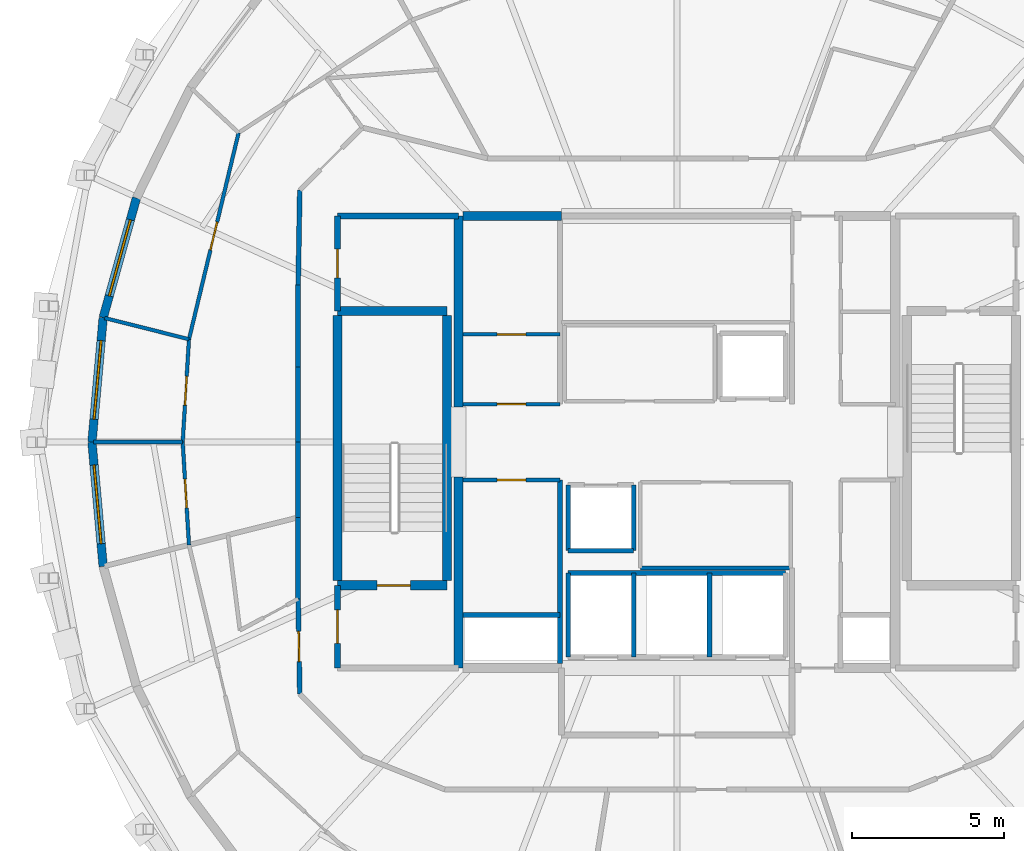
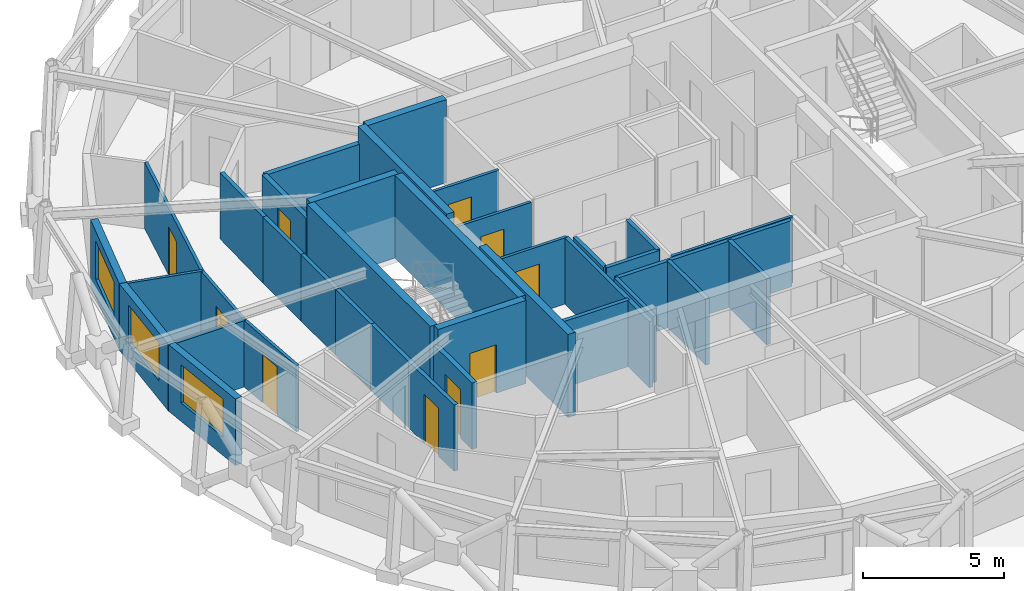
# One storey, part 8 of 12: 37 walls, 10 doors, 3 windows, 13 openings.
"""IFC4 building model written with IfcOpenShell, lengths in metres."""

from ifc_helpers import new_model, si_unit, direction, frame, frame_2d, origin, place, context, subcontext, project, spatial, rectangle, extrude, material, layer, layer_set, type_object, element, fill, save


model = new_model("IFC4")

# Units and contexts
model_context = context("Model", 3, precision=1e-05, world=origin(), true_north=direction((0.0, 1.0)))
body_context = subcontext(model_context, "Body", "Model", "MODEL_VIEW")
ifc_project = project(units=[si_unit("LENGTHUNIT", "METRE"), si_unit("AREAUNIT", "SQUARE_METRE"), si_unit("VOLUMEUNIT", "CUBIC_METRE"), si_unit("PLANEANGLEUNIT", "RADIAN"), si_unit("MASSUNIT", "GRAM", prefix="KILO")], contexts=[model_context])

# Site, building, storey
site_placement = place(None, origin())
site = spatial("IfcSite", under=ifc_project, at=site_placement, CompositionType="ELEMENT")
building_placement = place(site_placement, origin())
building = spatial("IfcBuilding", under=site, at=building_placement, Name="Veldorina Hangang Commons", CompositionType="ELEMENT")
storey_placement = place(building_placement, frame((0.0, 0.0, 272.39990234375)))
storey = spatial("IfcBuildingStorey", under=building, at=storey_placement, Name="L71", CompositionType="ELEMENT", Elevation=272.39990234375)

# Walls
ifc_material_1 = material(Name="Concrete C50/60", Category="concrete")
ifc_layer_1 = layer(ifc_material_1, 0.300048828125)
ifc_layer_set_1 = layer_set([ifc_layer_1], Name="Concrete C50/60")
wall_type_1 = type_object("IfcWallType", Name="CW-RC300-C50", PredefinedType="SHEAR", material=ifc_layer_set_1)
for number, where, z_axis, x_axis, name in (
    (1, (24.800048828125, 16.550048828125, 0.0), (0.0, 0.0, 1.0), (0.0, 1.0, 0.0), "L71 W south core shear wall"),
    (2, (24.800048828125, 25.14990234375, 0.0), (0.0, 0.0, 1.0), (0.0, 1.0, 0.0), "L71 W north core shear wall"),
):
    element("IfcWall", number, at=place(storey_placement, frame(where, z_axis=z_axis, x_axis=x_axis)), inside=storey, type_object=wall_type_1, Name=name, PredefinedType="SHEAR", context=body_context, shape_type="SweptSolid", body=[
        extrude(rectangle(XDim=6.300048828125, YDim=0.300048828125, at=frame_2d((3.14990234375, 0.0))), origin(), (0.0, 0.0, 1.0), 3.60009765625),
    ])
wall_1_placement = place(storey_placement, frame((24.949951171875, 31.449951171875, 0.0), z_axis=(0.0, 0.0, 1.0), x_axis=(1.0, 0.0, 0.0)))
element("IfcWall", 3, at=wall_1_placement, inside=storey, type_object=wall_type_1, Name="L71 north-west core shear wall", PredefinedType="SHEAR", context=body_context, shape_type="SweptSolid", body=[
    extrude(rectangle(XDim=3.25, YDim=0.300048828125, at=frame_2d((1.625, 0.0))), origin(), (0.0, 0.0, 1.0), 3.60009765625),
])

# Wall, opening, window
ifc_material_2 = material(Name="Stone Roman Travertine", Category="masonry")
ifc_layer_2 = layer(ifc_material_2, 0.280029296875)
ifc_layer_set_2 = layer_set([ifc_layer_2], Name="Stone Roman Travertine")
wall_type_2 = type_object("IfcWallType", Name="EW-TRAV-280", PredefinedType="STANDARD", material=ifc_layer_set_2)
wall_2_placement = place(storey_placement, frame((14.19091796875, 32.0458984375, 0.0), z_axis=(0.0, 0.0, 1.0), x_axis=(-0.26794835719, -0.963433276298, 0.0)))
wall_2 = element("IfcWall", 4, at=wall_2_placement, inside=storey, type_object=wall_type_2, Name="L71 travertine facade wall 14", PredefinedType="STANDARD", context=body_context, shape_type="SweptSolid", body=[
    extrude(rectangle(XDim=4.09375, YDim=0.280029296875, at=frame_2d((2.046875, 0.0))), origin(), (0.0, 0.0, 1.0), 2.880126953125),
])
opening_1_placement = place(wall_2_placement, frame((0.746826171875, 0.0, 0.800048828125)))
opening_1 = element("IfcOpeningElement", 5, at=opening_1_placement, cuts=wall_2, Name="Opening W-02", PredefinedType="OPENING", context=body_context, shape_type="SweptSolid", body=[
    extrude(rectangle(XDim=2.60009765625, YDim=1.64990234375, at=frame_2d((1.300048828125, 0.824951171875))), frame((0.0, 0.14990234375, 0.0), z_axis=(0.0, -1.0, 0.0), x_axis=(1.0, 0.0, 0.0)), (0.0, 0.0, 1.0), 0.300048828125),
])
ifc_material_3 = material(Name="Glass Low-E Triple IGU", Category="glass")
window_type = type_object("IfcWindowType", Name="WIN-TWR-2600", PartitioningType="SINGLE_PANEL", PredefinedType="WINDOW", material=ifc_material_3)
window_1_placement = place(opening_1_placement, origin())
window_1 = element("IfcWindow", 6, at=window_1_placement, inside=storey, type_object=window_type, Name="L71 facade window 14", OverallHeight=1.64990234375, OverallWidth=2.60009765625, PartitioningType="SINGLE_PANEL", PredefinedType="WINDOW", context=body_context, shape_type="SweptSolid", body=[
    extrude(rectangle(XDim=2.60009765625, YDim=1.64990234375, at=frame_2d((1.300048828125, 0.824951171875))), frame((0.0, 0.030029296875, 0.0), z_axis=(0.0, -1.0, 0.0), x_axis=(1.0, 0.0, 0.0)), (0.0, 0.0, 1.0), 0.06005859375),
])
fill(opening_1, window_1)

wall_3_placement = place(storey_placement, frame((13.093994140625, 28.101806640625, 0.0), z_axis=(0.0, 0.0, 1.0), x_axis=(-0.089926417538, -0.995948412032, 0.0)))
wall_3 = element("IfcWall", 7, at=wall_3_placement, inside=storey, type_object=wall_type_2, Name="L71 travertine facade wall 15", PredefinedType="STANDARD", context=body_context, shape_type="SweptSolid", body=[
    extrude(rectangle(XDim=4.118408203125, YDim=0.280029296875, at=frame_2d((2.05908203125, 0.0))), origin(), (0.0, 0.0, 1.0), 2.880126953125),
])
opening_2_placement = place(wall_3_placement, frame((0.75927734375, 0.0, 0.800048828125)))
opening_2 = element("IfcOpeningElement", 8, at=opening_2_placement, cuts=wall_3, Name="Opening W-02", PredefinedType="OPENING", context=body_context, shape_type="SweptSolid", body=[
    extrude(rectangle(XDim=2.60009765625, YDim=1.64990234375, at=frame_2d((1.300048828125, 0.824951171875))), frame((0.0, 0.14990234375, 0.0), z_axis=(0.0, -1.0, 0.0), x_axis=(1.0, 0.0, 0.0)), (0.0, 0.0, 1.0), 0.300048828125),
])
window_2_placement = place(opening_2_placement, origin())
window_2 = element("IfcWindow", 9, at=window_2_placement, inside=storey, type_object=window_type, Name="L71 facade window 15", OverallHeight=1.64990234375, OverallWidth=2.60009765625, PartitioningType="SINGLE_PANEL", PredefinedType="WINDOW", context=body_context, shape_type="SweptSolid", body=[
    extrude(rectangle(XDim=2.60009765625, YDim=1.64990234375, at=frame_2d((1.300048828125, 0.824951171875))), frame((0.0, 0.030029296875, 0.0), z_axis=(0.0, -1.0, 0.0), x_axis=(1.0, 0.0, 0.0)), (0.0, 0.0, 1.0), 0.06005859375),
])
fill(opening_2, window_2)

wall_4_placement = place(storey_placement, frame((12.7236328125, 24.0, 0.0), z_axis=(0.0, 0.0, 1.0), x_axis=(0.089926417538, -0.995948412032, 0.0)))
wall_4 = element("IfcWall", 10, at=wall_4_placement, inside=storey, type_object=wall_type_2, Name="L71 travertine facade wall 16", PredefinedType="STANDARD", context=body_context, shape_type="SweptSolid", body=[
    extrude(rectangle(XDim=4.118408203125, YDim=0.280029296875, at=frame_2d((2.05908203125, 0.0))), origin(), (0.0, 0.0, 1.0), 2.880126953125),
])
opening_3_placement = place(wall_4_placement, frame((0.75927734375, 0.0, 0.800048828125)))
opening_3 = element("IfcOpeningElement", 11, at=opening_3_placement, cuts=wall_4, Name="Opening W-02", PredefinedType="OPENING", context=body_context, shape_type="SweptSolid", body=[
    extrude(rectangle(XDim=2.60009765625, YDim=1.64990234375, at=frame_2d((1.300048828125, 0.824951171875))), frame((0.0, 0.14990234375, 0.0), z_axis=(0.0, -1.0, 0.0), x_axis=(1.0, 0.0, 0.0)), (0.0, 0.0, 1.0), 0.300048828125),
])
window_3_placement = place(opening_3_placement, origin())
window_3 = element("IfcWindow", 12, at=window_3_placement, inside=storey, type_object=window_type, Name="L71 facade window 16", OverallHeight=1.64990234375, OverallWidth=2.60009765625, PartitioningType="SINGLE_PANEL", PredefinedType="WINDOW", context=body_context, shape_type="SweptSolid", body=[
    extrude(rectangle(XDim=2.60009765625, YDim=1.64990234375, at=frame_2d((1.300048828125, 0.824951171875))), frame((0.0, 0.030029296875, 0.0), z_axis=(0.0, -1.0, 0.0), x_axis=(1.0, 0.0, 0.0)), (0.0, 0.0, 1.0), 0.06005859375),
])
fill(opening_3, window_3)

# Walls
ifc_layer_3 = layer(ifc_material_1, 0.300048828125)
ifc_layer_set_3 = layer_set([ifc_layer_3], Name="Concrete C50/60")
wall_type_3 = type_object("IfcWallType", Name="SW-STAIR-300", PredefinedType="SHEAR", material=ifc_layer_set_3)
for number, where, z_axis, x_axis, name in (
    (13, (20.820068359375, 19.429931640625, 0.0), (0.0, 0.0, 1.0), (0.0, 1.0, 0.0), "L71 ST1 outer stair shear wall"),
    (14, (24.419921875, 19.429931640625, 0.0), (0.0, 0.0, 1.0), (0.0, 1.0, 0.0), "L71 ST1 inner stair shear wall"),
):
    element("IfcWall", number, at=place(storey_placement, frame(where, z_axis=z_axis, x_axis=x_axis)), inside=storey, type_object=wall_type_3, Name=name, PredefinedType="SHEAR", context=body_context, shape_type="SweptSolid", body=[
        extrude(rectangle(XDim=8.739990234375, YDim=0.300048828125, at=frame_2d((4.3701171875, 0.0))), origin(), (0.0, 0.0, 1.0), 3.60009765625),
    ])

# Wall, opening, door
wall_5_placement = place(storey_placement, frame((20.820068359375, 19.280029296875, 0.0), z_axis=(0.0, 0.0, 1.0), x_axis=(1.0, 0.0, 0.0)))
wall_5 = element("IfcWall", 15, at=wall_5_placement, inside=storey, type_object=wall_type_3, Name="L71 ST1 south stair shear wall", PredefinedType="SHEAR", context=body_context, shape_type="SweptSolid", body=[
    extrude(rectangle(XDim=3.599853515625, YDim=0.300048828125, at=frame_2d((1.7998046875, 0.0))), origin(), (0.0, 0.0, 1.0), 3.60009765625),
])
opening_4_placement = place(wall_5_placement, frame((1.300048828125, 0.0, 0.0)))
opening_4 = element("IfcOpeningElement", 16, at=opening_4_placement, cuts=wall_5, Name="Opening D-08", PredefinedType="OPENING", context=body_context, shape_type="SweptSolid", body=[
    extrude(rectangle(XDim=1.10009765625, YDim=2.10009765625, at=frame_2d((0.550048828125, 1.050048828125))), frame((0.0, 0.16015625, 0.0), z_axis=(0.0, -1.0, 0.0), x_axis=(1.0, 0.0, 0.0)), (0.0, 0.0, 1.0), 0.320068359375),
])
ifc_material_4 = material(Name="Steel Fire-Rated Smoke Seal", Category="steel")
door_type_1 = type_object("IfcDoorType", Name="DR-FIRE-1100", OperationType="SINGLE_SWING_RIGHT", PredefinedType="DOOR", material=ifc_material_4)
door_1_placement = place(opening_4_placement, origin())
door_1 = element("IfcDoor", 17, at=door_1_placement, inside=storey, type_object=door_type_1, Name="L71 Special Escape Stair ST-1 door", OperationType="SINGLE_SWING_LEFT", OverallHeight=2.10009765625, OverallWidth=1.10009765625, PredefinedType="DOOR", context=body_context, shape_type="SweptSolid", body=[
    extrude(rectangle(XDim=1.10009765625, YDim=2.10009765625, at=frame_2d((0.550048828125, 1.050048828125))), frame((0.0, 0.02490234375, 0.0), z_axis=(0.0, -1.0, 0.0), x_axis=(1.0, 0.0, 0.0)), (0.0, 0.0, 1.0), 0.050048828125),
])
fill(opening_4, door_1)

# Walls
wall_6_placement = place(storey_placement, frame((20.820068359375, 28.320068359375, 0.0), z_axis=(0.0, 0.0, 1.0), x_axis=(1.0, 0.0, 0.0)))
element("IfcWall", 18, at=wall_6_placement, inside=storey, type_object=wall_type_3, Name="L71 ST1 north stair shear wall", PredefinedType="SHEAR", context=body_context, shape_type="SweptSolid", body=[
    extrude(rectangle(XDim=3.599853515625, YDim=0.300048828125, at=frame_2d((1.7998046875, 0.0))), origin(), (0.0, 0.0, 1.0), 3.60009765625),
])
ifc_material_5 = material(Name="Gypsum Fire-Rated Twin Stud Wall", Category="gypsum")
ifc_layer_4 = layer(ifc_material_5, 0.159912109375)
ifc_layer_set_4 = layer_set([ifc_layer_4], Name="Gypsum Fire-Rated Twin Stud Wall")
wall_type_4 = type_object("IfcWallType", Name="WL-FIRE-160", PredefinedType="SOLIDWALL", material=ifc_layer_set_4)
for number, where, z_axis, x_axis, name in (
    (19, (28.419921875, 20.419921875, 0.0), (0.0, 0.0, 1.0), (1.0, 0.0, 0.0), "L71 Shuttle-high rear shaft wall 020"),
    (20, (28.419921875, 20.419921875, 0.0), (0.0, 0.0, 1.0), (0.0, 1.0, 0.0), "L71 PL-H2 west shaft wall 021"),
    (21, (30.580078125, 20.419921875, 0.0), (0.0, 0.0, 1.0), (0.0, 1.0, 0.0), "L71 PL-H2 east shaft wall 022"),
):
    element("IfcWall", number, at=place(storey_placement, frame(where, z_axis=z_axis, x_axis=x_axis)), inside=storey, type_object=wall_type_4, Name=name, PredefinedType="SOLIDWALL", context=body_context, shape_type="SweptSolid", body=[
        extrude(rectangle(XDim=2.16015625, YDim=0.159912109375, at=frame_2d((1.080078125, 0.0))), origin(), (0.0, 0.0, 1.0), 2.8701171875),
    ])
wall_7_placement = place(storey_placement, frame((28.419921875, 19.679931640625, 0.0), z_axis=(0.0, 0.0, 1.0), x_axis=(1.0, 0.0, 0.0)))
element("IfcWall", 22, at=wall_7_placement, inside=storey, type_object=wall_type_4, Name="L71 Emergency rear shaft wall 024", PredefinedType="SOLIDWALL", context=body_context, shape_type="SweptSolid", body=[
    extrude(rectangle(XDim=7.16015625, YDim=0.159912109375, at=frame_2d((3.580078125, 0.0))), origin(), (0.0, 0.0, 1.0), 2.8701171875),
])
for number, where, z_axis, x_axis, name in (
    (23, (28.419921875, 16.919921875, 0.0), (0.0, 0.0, 1.0), (0.0, 1.0, 0.0), "L71 FFL-1 west shaft wall 025"),
    (24, (30.580078125, 16.919921875, 0.0), (0.0, 0.0, 1.0), (0.0, 1.0, 0.0), "L71 FFL-1 east shaft wall 026"),
    (25, (33.080078125, 16.919921875, 0.0), (0.0, 0.0, 1.0), (0.0, 1.0, 0.0), "L71 FFL-2 east shaft wall 027"),
):
    element("IfcWall", number, at=place(storey_placement, frame(where, z_axis=z_axis, x_axis=x_axis)), inside=storey, type_object=wall_type_4, Name=name, PredefinedType="SOLIDWALL", context=body_context, shape_type="SweptSolid", body=[
        extrude(rectangle(XDim=2.760009765625, YDim=0.159912109375, at=frame_2d((1.3798828125, 0.0))), origin(), (0.0, 0.0, 1.0), 2.8701171875),
    ])
wall_8_placement = place(storey_placement, frame((24.949951171875, 18.300048828125, 0.0), z_axis=(0.0, 0.0, 1.0), x_axis=(1.0, 0.0, 0.0)))
element("IfcWall", 26, at=wall_8_placement, inside=storey, type_object=wall_type_4, Name="L71 Electrical riser wall 040", PredefinedType="SOLIDWALL", context=body_context, shape_type="SweptSolid", body=[
    extrude(rectangle(XDim=3.199951171875, YDim=0.159912109375, at=frame_2d((1.60009765625, 0.0))), origin(), (0.0, 0.0, 1.0), 2.8701171875),
])
wall_9_placement = place(storey_placement, frame((28.14990234375, 16.699951171875, 0.0), z_axis=(0.0, 0.0, 1.0), x_axis=(0.0, 1.0, 0.0)))
element("IfcWall", 27, at=wall_9_placement, inside=storey, type_object=wall_type_4, Name="L71 SW core inner wall 041", PredefinedType="SOLIDWALL", context=body_context, shape_type="SweptSolid", body=[
    extrude(rectangle(XDim=6.050048828125, YDim=0.159912109375, at=frame_2d((3.02490234375, 0.0))), origin(), (0.0, 0.0, 1.0), 2.8701171875),
])
wall_10_placement = place(storey_placement, frame((19.5732421875, 32.30322265625, 0.0), z_axis=(0.0, 0.0, 1.0), x_axis=(-0.016981035134, -0.999855811828, 0.0)))
element("IfcWall", 28, at=wall_10_placement, inside=storey, type_object=wall_type_4, Name="L71 Compact collar outer wall 13 065", PredefinedType="SOLIDWALL", context=body_context, shape_type="SweptSolid", body=[
    extrude(rectangle(XDim=3.13427734375, YDim=0.159912109375, at=frame_2d((1.567138671875, 0.0))), origin(), (0.0, 0.0, 1.0), 2.8701171875),
])
wall_11_placement = place(storey_placement, frame((19.52001953125, 29.16943359375, 0.0), z_axis=(0.0, 0.0, 1.0), x_axis=(0.0, -1.0, 0.0)))
element("IfcWall", 29, at=wall_11_placement, inside=storey, type_object=wall_type_4, Name="L71 Compact collar outer wall 14 066", PredefinedType="SOLIDWALL", context=body_context, shape_type="SweptSolid", body=[
    extrude(rectangle(XDim=2.68701171875, YDim=0.159912109375, at=frame_2d((1.343505859375, 0.0))), origin(), (0.0, 0.0, 1.0), 2.8701171875),
])
for number, where, z_axis, x_axis, name in (
    (30, (19.52001953125, 26.482421875, 0.0), (0.0, 0.0, 1.0), (0.0, -1.0, 0.0), "L71 Compact collar outer wall 15 067"),
    (31, (19.52001953125, 24.0, 0.0), (0.0, 0.0, 1.0), (0.0, -1.0, 0.0), "L71 Compact collar outer wall 16 068"),
):
    element("IfcWall", number, at=place(storey_placement, frame(where, z_axis=z_axis, x_axis=x_axis)), inside=storey, type_object=wall_type_4, Name=name, PredefinedType="SOLIDWALL", context=body_context, shape_type="SweptSolid", body=[
        extrude(rectangle(XDim=2.482421875, YDim=0.159912109375, at=frame_2d((1.2412109375, 0.0))), origin(), (0.0, 0.0, 1.0), 2.8701171875),
    ])
wall_12_placement = place(storey_placement, frame((19.52001953125, 21.517578125, 0.0), z_axis=(0.0, 0.0, 1.0), x_axis=(0.0, -1.0, 0.0)))
element("IfcWall", 32, at=wall_12_placement, inside=storey, type_object=wall_type_4, Name="L71 Compact collar outer wall 17 069", PredefinedType="SOLIDWALL", context=body_context, shape_type="SweptSolid", body=[
    extrude(rectangle(XDim=2.68701171875, YDim=0.159912109375, at=frame_2d((1.343505859375, 0.0))), origin(), (0.0, 0.0, 1.0), 2.8701171875),
])

# Wall, opening, door
wall_13_placement = place(storey_placement, frame((19.52001953125, 18.83056640625, 0.0), z_axis=(0.0, 0.0, 1.0), x_axis=(0.016981035134, -0.999855811828, 0.0)))
wall_13 = element("IfcWall", 33, at=wall_13_placement, inside=storey, type_object=wall_type_4, Name="L71 Compact collar outer wall 18 070", PredefinedType="SOLIDWALL", context=body_context, shape_type="SweptSolid", body=[
    extrude(rectangle(XDim=3.13427734375, YDim=0.159912109375, at=frame_2d((1.567138671875, 0.0))), origin(), (0.0, 0.0, 1.0), 2.8701171875),
])
opening_5_placement = place(wall_13_placement, frame((1.067138671875, 0.0, 0.0)))
opening_5 = element("IfcOpeningElement", 34, at=opening_5_placement, cuts=wall_13, Name="Opening D-06", PredefinedType="OPENING", context=body_context, shape_type="SweptSolid", body=[
    extrude(rectangle(XDim=1.0, YDim=2.10009765625, at=frame_2d((0.5, 1.050048828125))), frame((0.0, 0.08984375, 0.0), z_axis=(0.0, -1.0, 0.0), x_axis=(1.0, 0.0, 0.0)), (0.0, 0.0, 1.0), 0.179931640625),
])
ifc_material_6 = material(Name="Timber Fire-Rated Entrance Core", Category="wood")
door_type_2 = type_object("IfcDoorType", Name="DR-UNIT-1000", OperationType="SINGLE_SWING_LEFT", PredefinedType="DOOR", material=ifc_material_6)
door_2_placement = place(opening_5_placement, origin())
door_2 = element("IfcDoor", 35, at=door_2_placement, inside=storey, type_object=door_type_2, Name="L71 Cluster 6 entrance door 038", OperationType="SINGLE_SWING_RIGHT", OverallHeight=2.10009765625, OverallWidth=1.0, PredefinedType="DOOR", context=body_context, shape_type="SweptSolid", body=[
    extrude(rectangle(XDim=1.0, YDim=2.10009765625, at=frame_2d((0.5, 1.050048828125))), frame((0.0, 0.02490234375, 0.0), z_axis=(0.0, -1.0, 0.0), x_axis=(1.0, 0.0, 0.0)), (0.0, 0.0, 1.0), 0.050048828125),
])
fill(opening_5, door_2)

ifc_material_7 = material(Name="Concrete Blockwork Fire Wall C30/37", Category="masonry")
ifc_layer_5 = layer(ifc_material_7, 0.199951171875)
ifc_layer_set_5 = layer_set([ifc_layer_5], Name="Concrete Blockwork Fire Wall C30/37")
wall_type_5 = type_object("IfcWallType", Name="WL-FIRE-200", PredefinedType="SOLIDWALL", material=ifc_layer_set_5)
wall_14_placement = place(storey_placement, frame((20.820068359375, 16.550048828125, 0.0), z_axis=(0.0, 0.0, 1.0), x_axis=(0.0, 1.0, 0.0)))
wall_14 = element("IfcWall", 36, at=wall_14_placement, inside=storey, type_object=wall_type_5, Name="L71 West vestibule outer wall 001", PredefinedType="SOLIDWALL", context=body_context, shape_type="SweptSolid", body=[
    extrude(rectangle(XDim=2.72998046875, YDim=0.199951171875, at=frame_2d((1.364990234375, 0.0))), origin(), (0.0, 0.0, 1.0), 2.8701171875),
])
opening_6_placement = place(wall_14_placement, frame((0.81494140625, 0.0, 0.0)))
opening_6 = element("IfcOpeningElement", 37, at=opening_6_placement, cuts=wall_14, Name="Opening D-08", PredefinedType="OPENING", context=body_context, shape_type="SweptSolid", body=[
    extrude(rectangle(XDim=1.10009765625, YDim=2.10009765625, at=frame_2d((0.550048828125, 1.050048828125))), frame((0.0, 0.10986328125, 0.0), z_axis=(0.0, -1.0, 0.0), x_axis=(1.0, 0.0, 0.0)), (0.0, 0.0, 1.0), 0.219970703125),
])
door_3_placement = place(opening_6_placement, origin())
door_3 = element("IfcDoor", 38, at=door_3_placement, inside=storey, type_object=door_type_1, Name="L71 West vestibule west door 001", OperationType="SINGLE_SWING_LEFT", OverallHeight=2.10009765625, OverallWidth=1.10009765625, PredefinedType="DOOR", context=body_context, shape_type="SweptSolid", body=[
    extrude(rectangle(XDim=1.10009765625, YDim=2.10009765625, at=frame_2d((0.550048828125, 1.050048828125))), frame((0.0, 0.02490234375, 0.0), z_axis=(0.0, -1.0, 0.0), x_axis=(1.0, 0.0, 0.0)), (0.0, 0.0, 1.0), 0.050048828125),
])
fill(opening_6, door_3)

wall_15_placement = place(storey_placement, frame((20.820068359375, 28.320068359375, 0.0), z_axis=(0.0, 0.0, 1.0), x_axis=(0.0, 1.0, 0.0)))
wall_15 = element("IfcWall", 39, at=wall_15_placement, inside=storey, type_object=wall_type_5, Name="L71 NW core room outer wall 005", PredefinedType="SOLIDWALL", context=body_context, shape_type="SweptSolid", body=[
    extrude(rectangle(XDim=3.1298828125, YDim=0.199951171875, at=frame_2d((1.56494140625, 0.0))), origin(), (0.0, 0.0, 1.0), 2.8701171875),
])
opening_7_placement = place(wall_15_placement, frame((1.090087890625, 0.0, 0.0)))
opening_7 = element("IfcOpeningElement", 40, at=opening_7_placement, cuts=wall_15, Name="Opening D-04", PredefinedType="OPENING", context=body_context, shape_type="SweptSolid", body=[
    extrude(rectangle(XDim=0.949951171875, YDim=2.10009765625, at=frame_2d((0.47509765625, 1.050048828125))), frame((0.0, 0.10986328125, 0.0), z_axis=(0.0, -1.0, 0.0), x_axis=(1.0, 0.0, 0.0)), (0.0, 0.0, 1.0), 0.219970703125),
])
ifc_material_8 = material(Name="Timber Accessible Flush Leaf", Category="wood")
door_type_3 = type_object("IfcDoorType", Name="DR-ACC-950", OperationType="SINGLE_SWING_LEFT", PredefinedType="DOOR", material=ifc_material_8)
door_4_placement = place(opening_7_placement, origin())
door_4 = element("IfcDoor", 41, at=door_4_placement, inside=storey, type_object=door_type_3, Name="L71 NW core WC door 003", OperationType="SINGLE_SWING_LEFT", OverallHeight=2.10009765625, OverallWidth=0.949951171875, PredefinedType="DOOR", context=body_context, shape_type="SweptSolid", body=[
    extrude(rectangle(XDim=0.949951171875, YDim=2.10009765625, at=frame_2d((0.47509765625, 1.050048828125))), frame((0.0, 0.02490234375, 0.0), z_axis=(0.0, -1.0, 0.0), x_axis=(1.0, 0.0, 0.0)), (0.0, 0.0, 1.0), 0.050048828125),
])
fill(opening_7, door_4)

# Walls
wall_16_placement = place(storey_placement, frame((20.820068359375, 31.449951171875, 0.0), z_axis=(0.0, 0.0, 1.0), x_axis=(1.0, 0.0, 0.0)))
element("IfcWall", 42, at=wall_16_placement, inside=storey, type_object=wall_type_5, Name="L71 NW core room north wall 006", PredefinedType="SOLIDWALL", context=body_context, shape_type="SweptSolid", body=[
    extrude(rectangle(XDim=3.97998046875, YDim=0.199951171875, at=frame_2d((1.989990234375, 0.0))), origin(), (0.0, 0.0, 1.0), 2.8701171875),
])
ifc_material_9 = material(Name="Gypsum Acoustic Stud Partition", Category="gypsum")
ifc_layer_6 = layer(ifc_material_9, 0.1201171875)
ifc_layer_set_6 = layer_set([ifc_layer_6], Name="Gypsum Acoustic Stud Partition")
wall_type_6 = type_object("IfcWallType", Name="WL-PART-120", PredefinedType="PARTITIONING", material=ifc_layer_set_6)
wall_17_placement = place(storey_placement, frame((30.800048828125, 19.85009765625, 0.0), z_axis=(0.0, 0.0, 1.0), x_axis=(1.0, 0.0, 0.0)))
element("IfcWall", 43, at=wall_17_placement, inside=storey, type_object=wall_type_6, Name="L71 Merged shuttle south wall 037", PredefinedType="PARTITIONING", context=body_context, shape_type="SweptSolid", body=[
    extrude(rectangle(XDim=4.949951171875, YDim=0.1201171875, at=frame_2d((2.47509765625, 0.0))), origin(), (0.0, 0.0, 1.0), 2.8701171875),
])

# Wall, opening, door
wall_18_placement = place(storey_placement, frame((24.949951171875, 25.25, 0.0), z_axis=(0.0, 0.0, 1.0), x_axis=(1.0, 0.0, 0.0)))
wall_18 = element("IfcWall", 44, at=wall_18_placement, inside=storey, type_object=wall_type_6, Name="L71 NW service south wall 044", PredefinedType="PARTITIONING", context=body_context, shape_type="SweptSolid", body=[
    extrude(rectangle(XDim=3.199951171875, YDim=0.1201171875, at=frame_2d((1.60009765625, 0.0))), origin(), (0.0, 0.0, 1.0), 2.8701171875),
])
opening_8_placement = place(wall_18_placement, frame((1.125, 0.0, 0.0)))
opening_8 = element("IfcOpeningElement", 45, at=opening_8_placement, cuts=wall_18, Name="Opening D-02", PredefinedType="OPENING", context=body_context, shape_type="SweptSolid", body=[
    extrude(rectangle(XDim=0.949951171875, YDim=2.10009765625, at=frame_2d((0.47509765625, 1.050048828125))), frame((0.0, 0.070068359375, 0.0), z_axis=(0.0, -1.0, 0.0), x_axis=(1.0, 0.0, 0.0)), (0.0, 0.0, 1.0), 0.14013671875),
])
ifc_material_10 = material(Name="Timber Solid Core Acoustic", Category="wood")
door_type_4 = type_object("IfcDoorType", Name="DR-INT-950", OperationType="SINGLE_SWING_LEFT", PredefinedType="DOOR", material=ifc_material_10)
door_5_placement = place(opening_8_placement, origin())
door_5 = element("IfcDoor", 46, at=door_5_placement, inside=storey, type_object=door_type_4, Name="L71 Housekeeping pantry door 014", OperationType="SINGLE_SWING_RIGHT", OverallHeight=2.10009765625, OverallWidth=0.949951171875, PredefinedType="DOOR", context=body_context, shape_type="SweptSolid", body=[
    extrude(rectangle(XDim=0.949951171875, YDim=2.10009765625, at=frame_2d((0.47509765625, 1.050048828125))), frame((0.0, 0.02490234375, 0.0), z_axis=(0.0, -1.0, 0.0), x_axis=(1.0, 0.0, 0.0)), (0.0, 0.0, 1.0), 0.050048828125),
])
fill(opening_8, door_5)

wall_19_placement = place(storey_placement, frame((24.949951171875, 22.75, 0.0), z_axis=(0.0, 0.0, 1.0), x_axis=(1.0, 0.0, 0.0)))
wall_19 = element("IfcWall", 47, at=wall_19_placement, inside=storey, type_object=wall_type_6, Name="L71 SW service north wall 045", PredefinedType="PARTITIONING", context=body_context, shape_type="SweptSolid", body=[
    extrude(rectangle(XDim=3.199951171875, YDim=0.1201171875, at=frame_2d((1.60009765625, 0.0))), origin(), (0.0, 0.0, 1.0), 2.8701171875),
])
opening_9_placement = place(wall_19_placement, frame((1.125, 0.0, 0.0)))
opening_9 = element("IfcOpeningElement", 48, at=opening_9_placement, cuts=wall_19, Name="Opening D-02", PredefinedType="OPENING", context=body_context, shape_type="SweptSolid", body=[
    extrude(rectangle(XDim=0.949951171875, YDim=2.10009765625, at=frame_2d((0.47509765625, 1.050048828125))), frame((0.0, 0.070068359375, 0.0), z_axis=(0.0, -1.0, 0.0), x_axis=(1.0, 0.0, 0.0)), (0.0, 0.0, 1.0), 0.14013671875),
])
door_6_placement = place(opening_9_placement, origin())
door_6 = element("IfcDoor", 49, at=door_6_placement, inside=storey, type_object=door_type_4, Name="L71 Waste sorting door 016", OperationType="SINGLE_SWING_RIGHT", OverallHeight=2.10009765625, OverallWidth=0.949951171875, PredefinedType="DOOR", context=body_context, shape_type="SweptSolid", body=[
    extrude(rectangle(XDim=0.949951171875, YDim=2.10009765625, at=frame_2d((0.47509765625, 1.050048828125))), frame((0.0, 0.02490234375, 0.0), z_axis=(0.0, -1.0, 0.0), x_axis=(1.0, 0.0, 0.0)), (0.0, 0.0, 1.0), 0.050048828125),
])
fill(opening_9, door_6)

wall_20_placement = place(storey_placement, frame((24.949951171875, 27.550048828125, 0.0), z_axis=(0.0, 0.0, 1.0), x_axis=(1.0, 0.0, 0.0)))
wall_20 = element("IfcWall", 50, at=wall_20_placement, inside=storey, type_object=wall_type_6, Name="L71 NW mid wall 050", PredefinedType="PARTITIONING", context=body_context, shape_type="SweptSolid", body=[
    extrude(rectangle(XDim=3.199951171875, YDim=0.1201171875, at=frame_2d((1.60009765625, 0.0))), origin(), (0.0, 0.0, 1.0), 2.8701171875),
])
opening_10_placement = place(wall_20_placement, frame((1.125, 0.0, 0.0)))
opening_10 = element("IfcOpeningElement", 51, at=opening_10_placement, cuts=wall_20, Name="Opening D-02", PredefinedType="OPENING", context=body_context, shape_type="SweptSolid", body=[
    extrude(rectangle(XDim=0.949951171875, YDim=2.10009765625, at=frame_2d((0.47509765625, 1.050048828125))), frame((0.0, 0.070068359375, 0.0), z_axis=(0.0, -1.0, 0.0), x_axis=(1.0, 0.0, 0.0)), (0.0, 0.0, 1.0), 0.14013671875),
])
door_7_placement = place(opening_10_placement, origin())
door_7 = element("IfcDoor", 52, at=door_7_placement, inside=storey, type_object=door_type_4, Name="L71 Bedding store door 015", OperationType="SINGLE_SWING_LEFT", OverallHeight=2.10009765625, OverallWidth=0.949951171875, PredefinedType="DOOR", context=body_context, shape_type="SweptSolid", body=[
    extrude(rectangle(XDim=0.949951171875, YDim=2.10009765625, at=frame_2d((0.47509765625, 1.050048828125))), frame((0.0, 0.02490234375, 0.0), z_axis=(0.0, -1.0, 0.0), x_axis=(1.0, 0.0, 0.0)), (0.0, 0.0, 1.0), 0.050048828125),
])
fill(opening_10, door_7)

wall_21_placement = place(storey_placement, frame((17.556640625, 34.194580078125, 0.0), z_axis=(0.0, 0.0, 1.0), x_axis=(-0.23363679847, -0.972323941082, 0.0)))
wall_21 = element("IfcWall", 53, at=wall_21_placement, inside=storey, type_object=wall_type_6, Name="L71 Cluster 5 bed 2 front wall 105", PredefinedType="PARTITIONING", context=body_context, shape_type="SweptSolid", body=[
    extrude(rectangle(XDim=6.9990234375, YDim=0.1201171875, at=frame_2d((3.49951171875, 0.0))), origin(), (0.0, 0.0, 1.0), 2.8701171875),
])
opening_11_placement = place(wall_21_placement, frame((3.024658203125, 0.0, 0.0)))
opening_11 = element("IfcOpeningElement", 54, at=opening_11_placement, cuts=wall_21, Name="Opening D-02", PredefinedType="OPENING", context=body_context, shape_type="SweptSolid", body=[
    extrude(rectangle(XDim=0.949951171875, YDim=2.10009765625, at=frame_2d((0.47509765625, 1.050048828125))), frame((0.0, 0.070068359375, 0.0), z_axis=(0.0, -1.0, 0.0), x_axis=(1.0, 0.0, 0.0)), (0.0, 0.0, 1.0), 0.14013671875),
])
door_8_placement = place(opening_11_placement, origin())
door_8 = element("IfcDoor", 55, at=door_8_placement, inside=storey, type_object=door_type_4, Name="L71 Cluster 5 bed 2 door 034", OperationType="SINGLE_SWING_RIGHT", OverallHeight=2.10009765625, OverallWidth=0.949951171875, PredefinedType="DOOR", context=body_context, shape_type="SweptSolid", body=[
    extrude(rectangle(XDim=0.949951171875, YDim=2.10009765625, at=frame_2d((0.47509765625, 1.050048828125))), frame((0.0, 0.02490234375, 0.0), z_axis=(0.0, -1.0, 0.0), x_axis=(1.0, 0.0, 0.0)), (0.0, 0.0, 1.0), 0.050048828125),
])
fill(opening_11, door_8)

wall_22_placement = place(storey_placement, frame((15.92138671875, 27.38916015625, 0.0), z_axis=(0.0, 0.0, 1.0), x_axis=(-0.061044277853, -0.998135059068, 0.0)))
wall_22 = element("IfcWall", 56, at=wall_22_placement, inside=storey, type_object=wall_type_6, Name="L71 Cluster 5 bed 3 front wall 107", PredefinedType="PARTITIONING", context=body_context, shape_type="SweptSolid", body=[
    extrude(rectangle(XDim=3.3955078125, YDim=0.1201171875, at=frame_2d((1.69775390625, 0.0))), origin(), (0.0, 0.0, 1.0), 2.8701171875),
])
opening_12_placement = place(wall_22_placement, frame((1.222900390625, 0.0, 0.0)))
opening_12 = element("IfcOpeningElement", 57, at=opening_12_placement, cuts=wall_22, Name="Opening D-02", PredefinedType="OPENING", context=body_context, shape_type="SweptSolid", body=[
    extrude(rectangle(XDim=0.949951171875, YDim=2.10009765625, at=frame_2d((0.47509765625, 1.050048828125))), frame((0.0, 0.070068359375, 0.0), z_axis=(0.0, -1.0, 0.0), x_axis=(1.0, 0.0, 0.0)), (0.0, 0.0, 1.0), 0.14013671875),
])
door_9_placement = place(opening_12_placement, origin())
door_9 = element("IfcDoor", 58, at=door_9_placement, inside=storey, type_object=door_type_4, Name="L71 Cluster 5 bed 3 door 035", OperationType="SINGLE_SWING_LEFT", OverallHeight=2.10009765625, OverallWidth=0.949951171875, PredefinedType="DOOR", context=body_context, shape_type="SweptSolid", body=[
    extrude(rectangle(XDim=0.949951171875, YDim=2.10009765625, at=frame_2d((0.47509765625, 1.050048828125))), frame((0.0, 0.02490234375, 0.0), z_axis=(0.0, -1.0, 0.0), x_axis=(1.0, 0.0, 0.0)), (0.0, 0.0, 1.0), 0.050048828125),
])
fill(opening_12, door_9)

# Wall
wall_23_placement = place(storey_placement, frame((15.92138671875, 27.38916015625, 0.0), z_axis=(0.0, 0.0, 1.0), x_axis=(-0.96966960169, 0.24441944186, 0.0)))
element("IfcWall", 59, at=wall_23_placement, inside=storey, type_object=wall_type_6, Name="L71 Cluster 5 bed divider 2 108", PredefinedType="PARTITIONING", context=body_context, shape_type="SweptSolid", body=[
    extrude(rectangle(XDim=2.86572265625, YDim=0.1201171875, at=frame_2d((1.432861328125, 0.0))), origin(), (0.0, 0.0, 1.0), 2.8701171875),
])

# Wall, opening, door
wall_24_placement = place(storey_placement, frame((15.714111328125, 24.0, 0.0), z_axis=(0.0, 0.0, 1.0), x_axis=(0.061044277853, -0.998135059068, 0.0)))
wall_24 = element("IfcWall", 60, at=wall_24_placement, inside=storey, type_object=wall_type_6, Name="L71 Cluster 5 bed 4 front wall 109", PredefinedType="PARTITIONING", context=body_context, shape_type="SweptSolid", body=[
    extrude(rectangle(XDim=3.3955078125, YDim=0.1201171875, at=frame_2d((1.69775390625, 0.0))), origin(), (0.0, 0.0, 1.0), 2.8701171875),
])
opening_13_placement = place(wall_24_placement, frame((1.222900390625, 0.0, 0.0)))
opening_13 = element("IfcOpeningElement", 61, at=opening_13_placement, cuts=wall_24, Name="Opening D-02", PredefinedType="OPENING", context=body_context, shape_type="SweptSolid", body=[
    extrude(rectangle(XDim=0.949951171875, YDim=2.10009765625, at=frame_2d((0.47509765625, 1.050048828125))), frame((0.0, 0.070068359375, 0.0), z_axis=(0.0, -1.0, 0.0), x_axis=(1.0, 0.0, 0.0)), (0.0, 0.0, 1.0), 0.14013671875),
])
door_10_placement = place(opening_13_placement, origin())
door_10 = element("IfcDoor", 62, at=door_10_placement, inside=storey, type_object=door_type_4, Name="L71 Cluster 5 bed 4 door 036", OperationType="SINGLE_SWING_RIGHT", OverallHeight=2.10009765625, OverallWidth=0.949951171875, PredefinedType="DOOR", context=body_context, shape_type="SweptSolid", body=[
    extrude(rectangle(XDim=0.949951171875, YDim=2.10009765625, at=frame_2d((0.47509765625, 1.050048828125))), frame((0.0, 0.02490234375, 0.0), z_axis=(0.0, -1.0, 0.0), x_axis=(1.0, 0.0, 0.0)), (0.0, 0.0, 1.0), 0.050048828125),
])
fill(opening_13, door_10)

# Wall
wall_25_placement = place(storey_placement, frame((15.714111328125, 24.0, 0.0), z_axis=(0.0, 0.0, 1.0), x_axis=(-1.0, 0.0, 0.0)))
element("IfcWall", 63, at=wall_25_placement, inside=storey, type_object=wall_type_6, Name="L71 Cluster 5 bed divider 3 110", PredefinedType="PARTITIONING", context=body_context, shape_type="SweptSolid", body=[
    extrude(rectangle(XDim=2.9404296875, YDim=0.1201171875, at=frame_2d((1.47021484375, 0.0))), origin(), (0.0, 0.0, 1.0), 2.8701171875),
])

save(model, "model.ifc")
